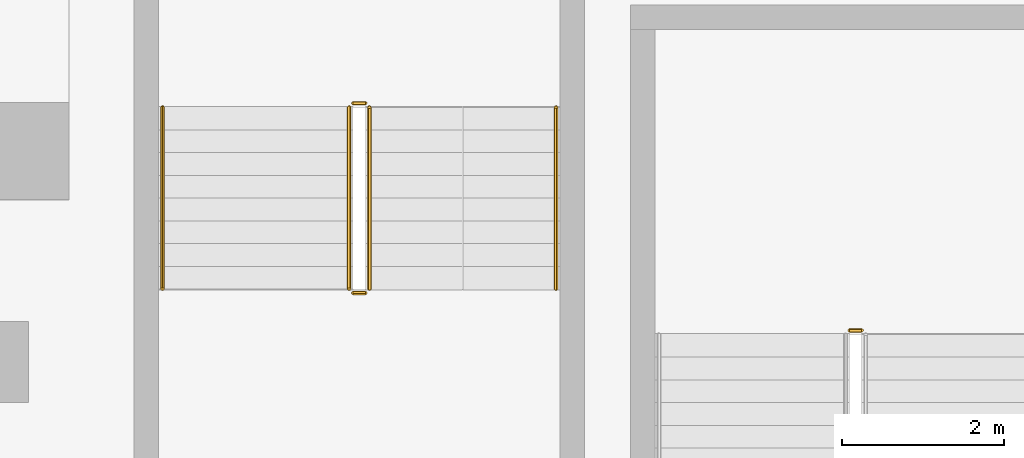
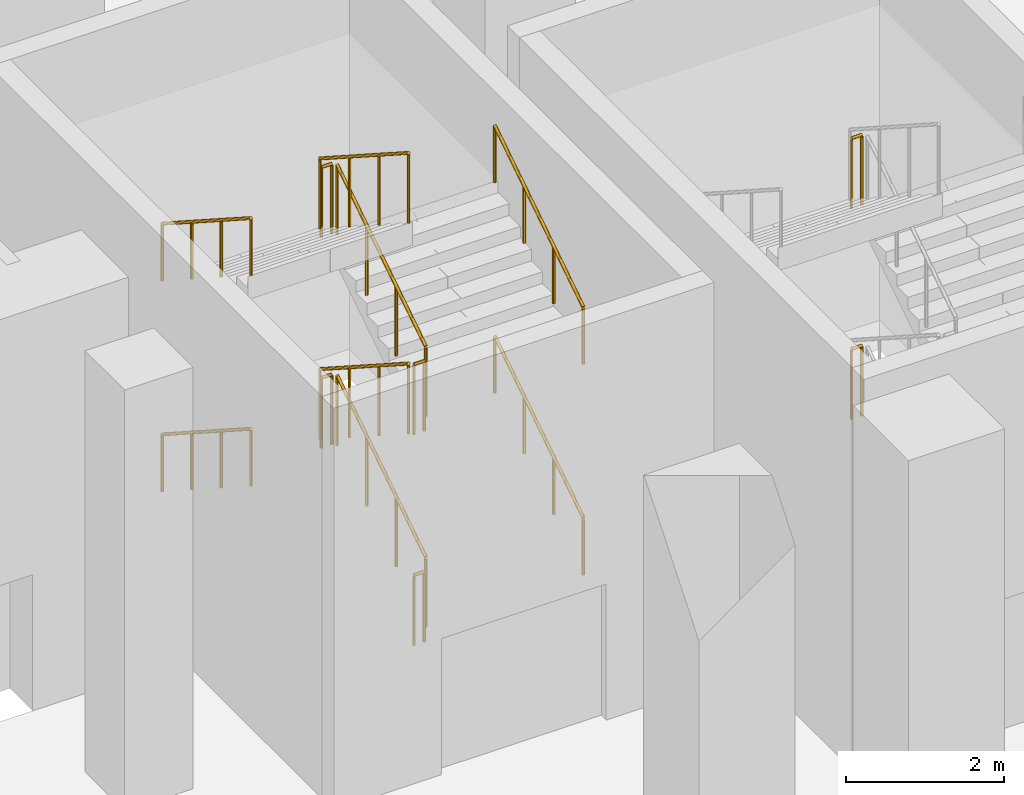
# One storey, part 30 of 30: 14 railings.
"""IFC4 building model written with IfcOpenShell, lengths in metres."""

import ifcopenshell
import ifcopenshell.guid

model = None  # the IFC model being written
_history = None  # IfcOwnerHistory: only IFC2X3 demands one
_inside = {}  # id of a spatial element -> (the spatial element, [elements in it])
_under = {}  # id of a project, library or spatial element -> (it, [spatial elements below it])
_declared = {}  # id of a project -> (the project, [libraries it declares])
_typed = {}  # id of a type object -> (the type object, [elements of that type])
_made_of = {}  # id of a material, layer set ... -> (it, [elements and type objects made of it])


def new_model(schema):
    """Start an empty IFC model of exactly this schema.

    Asked for "IFC4X3", IfcOpenShell would pick the latest addendum, in which some entities
    have other attributes; the version numbers below select the first issue.
    IFC2X3 requires an IfcOwnerHistory on every rooted entity: one is made here for all.
    """
    global model, _history
    if schema == "IFC4X3":
        model = ifcopenshell.file(schema_version=(4, 3, 0, 0))
    else:
        model = ifcopenshell.file(schema=schema)
    _inside.clear()
    _under.clear()
    _declared.clear()
    _typed.clear()
    _made_of.clear()
    _history = None
    if model.schema == "IFC2X3":
        org = make("IfcOrganization", Name="unknown")
        user = make(
            "IfcPersonAndOrganization",
            ThePerson=make("IfcPerson", FamilyName="unknown"),
            TheOrganization=org,
        )
        app = make(
            "IfcApplication",
            ApplicationDeveloper=org,
            Version="unknown",
            ApplicationFullName="unknown",
            ApplicationIdentifier="unknown",
        )
        _history = make(
            "IfcOwnerHistory",
            OwningUser=user,
            OwningApplication=app,
            ChangeAction="ADDED",
            CreationDate=0,
        )
    return model


def make(cls, **values):
    """One entity of the class cls with the attributes given. An attribute that is None is left unset."""
    return model.create_entity(
        cls, **{name: value for name, value in values.items() if value is not None}
    )


def rooted(cls, **values):
    """An entity with a GlobalId (a new one), such as an element, a storey or a relation."""
    return make(cls, GlobalId=ifcopenshell.guid.new(), OwnerHistory=_history, **values)


def si_unit(unit_type, name, prefix=None):
    """IfcSIUnit, for example si_unit("LENGTHUNIT", "METRE", prefix="MILLI")."""
    return make("IfcSIUnit", UnitType=unit_type, Prefix=prefix, Name=name)


def assignment(units):
    """IfcUnitAssignment: the units of a project."""
    return None if units is None else make("IfcUnitAssignment", Units=units)


def point(xyz):
    """IfcCartesianPoint."""
    return None if xyz is None else make("IfcCartesianPoint", Coordinates=xyz)


def direction(xyz):
    """IfcDirection."""
    return None if xyz is None else make("IfcDirection", DirectionRatios=xyz)


def frame(location, z_axis=None, x_axis=None):
    """IfcAxis2Placement3D, a coordinate frame: its origin and axes. An axis left out is left unset."""
    return make(
        "IfcAxis2Placement3D",
        Location=point(location),
        Axis=direction(z_axis),
        RefDirection=direction(x_axis),
    )


def frame_2d(location, x_axis=None):
    """IfcAxis2Placement2D, a coordinate frame in the plane: its origin and x axis."""
    return make(
        "IfcAxis2Placement2D", Location=point(location), RefDirection=direction(x_axis)
    )


def origin():
    """The frame at (0, 0, 0) with its axes left unset."""
    return frame((0.0, 0.0, 0.0))


def origin_2d():
    """The frame at (0, 0) in the plane with its x axis left unset."""
    return frame_2d((0.0, 0.0))


def place(relative_to, where):
    """IfcLocalPlacement: puts the frame where relative to a parent placement (None: the world)."""
    return make(
        "IfcLocalPlacement", PlacementRelTo=relative_to, RelativePlacement=where
    )


def context(
    kind, dimensions, precision=None, world=None, true_north=None, identifier=None
):
    """IfcGeometricRepresentationContext, for example the 3D "Model" context."""
    return make(
        "IfcGeometricRepresentationContext",
        ContextIdentifier=identifier,
        ContextType=kind,
        CoordinateSpaceDimension=dimensions,
        Precision=precision,
        WorldCoordinateSystem=world,
        TrueNorth=true_north,
    )


def subcontext(parent, identifier, kind, view, scale=None):
    """IfcGeometricRepresentationSubContext, for example "Body" below "Model"."""
    return make(
        "IfcGeometricRepresentationSubContext",
        ContextIdentifier=identifier,
        ContextType=kind,
        ParentContext=parent,
        TargetScale=scale,
        TargetView=view,
    )


def project(units=None, contexts=None):
    """IfcProject with its units and contexts."""
    return rooted(
        "IfcProject",
        Name="project",
        RepresentationContexts=contexts,
        UnitsInContext=assignment(units),
    )


def spatial(cls, under=None, at=None, **own):
    """A site, building, storey or space (cls), placed at a placement, below another one or the project."""
    s = rooted(cls, ObjectPlacement=at, **own)
    if under is not None:
        _under.setdefault(under.id(), (under, []))[1].append(s)
    return s


def profile(cls, at=None, kind="AREA", **sizes):
    """A parametric profile (cls). Its sizes go by their IFC names, for example OverallWidth=200.0."""
    return make(cls, ProfileType=kind, Position=at, **sizes)


def circle(**sizes):
    """IfcCircleProfileDef."""
    return profile("IfcCircleProfileDef", **sizes)


def extrude(swept, where, along, depth):
    """IfcExtrudedAreaSolid: the profile swept, set in the frame where, extruded along a direction by depth."""
    return make(
        "IfcExtrudedAreaSolid",
        SweptArea=swept,
        Position=where,
        ExtrudedDirection=direction(along),
        Depth=depth,
    )


def shape(context_of_items, identifier, shape_type, items):
    """IfcShapeRepresentation: the items that make up one representation, for example the "Body"."""
    return make(
        "IfcShapeRepresentation",
        ContextOfItems=context_of_items,
        RepresentationIdentifier=identifier,
        RepresentationType=shape_type,
        Items=items,
    )


def material(Name=None, Category=None):
    """IfcMaterial."""
    return make("IfcMaterial", Name=Name, Category=Category)


def made_of(thing, what):
    """Note that an element or type object is made of a material, layer set ...; save() writes the relation."""
    if what is not None:
        _made_of.setdefault(what.id(), (what, []))[1].append(thing)
    return thing


def type_object(cls, material=None, **own):
    """A type object (cls), such as IfcWallType, which elements share."""
    return made_of(rooted(cls, **own), material)


def element(
    cls,
    number,
    at=None,
    inside=None,
    cuts=None,
    type_object=None,
    material=None,
    context=None,
    identifier="Body",
    shape_type=None,
    held_by="IfcProductDefinitionShape",
    body=None,
    shapes=None,
    **own,
):
    """One element of the class cls, such as IfcWall. Its Tag is "e" and its number.

    at: its placement. inside: the storey or other place that contains it. cuts: it is an
    opening in that element (IfcRelVoidsElement). A single representation is given by context,
    identifier, shape_type and body (its items); several are given by shapes. held_by: the class
    of the entity that holds the representations. save() writes the other relations.
    """
    e = rooted(cls, Tag="e%d" % number, ObjectPlacement=at, **own)
    if body is not None:
        shapes = [shape(context, identifier, shape_type, body)]
    if shapes is not None:
        e.Representation = make(held_by, Representations=shapes)
    if inside is not None:
        _inside.setdefault(inside.id(), (inside, []))[1].append(e)
    if cuts is not None:
        rooted(
            "IfcRelVoidsElement", RelatingBuildingElement=cuts, RelatedOpeningElement=e
        )
    if type_object is not None:
        _typed.setdefault(type_object.id(), (type_object, []))[1].append(e)
    return made_of(e, material)


def aggregate(whole, parts):
    """IfcRelAggregates: a whole, such as a stair, and the parts it consists of."""
    return rooted("IfcRelAggregates", RelatingObject=whole, RelatedObjects=parts)


def save(model, path):
    """Write the relations noted so far, then the file.

    IfcRelAggregates (storeys below a building ...), IfcRelContainedInSpatialStructure (elements
    in a storey), IfcRelDefinesByType, IfcRelAssociatesMaterial and IfcRelDeclares: one each for
    every whole, place, type object, material and project.
    """
    for whole, parts in _under.values():
        aggregate(whole, parts)
    for where, things in _inside.values():
        rooted(
            "IfcRelContainedInSpatialStructure",
            RelatedElements=things,
            RelatingStructure=where,
        )
    for kind, things in _typed.values():
        rooted("IfcRelDefinesByType", RelatedObjects=things, RelatingType=kind)
    for what, things in _made_of.values():
        rooted("IfcRelAssociatesMaterial", RelatedObjects=things, RelatingMaterial=what)
    for by, libraries in _declared.values():
        rooted("IfcRelDeclares", RelatingContext=by, RelatedDefinitions=libraries)
    model.write(path)


model = new_model("IFC4")

# Units and contexts
model_context = context("Model", 3, precision=1e-05, world=origin(), true_north=direction((0.0, 1.0)))
body_context = subcontext(model_context, "Body", "Model", "MODEL_VIEW")
ifc_project = project(units=[si_unit("LENGTHUNIT", "METRE"), si_unit("AREAUNIT", "SQUARE_METRE"), si_unit("VOLUMEUNIT", "CUBIC_METRE"), si_unit("PLANEANGLEUNIT", "RADIAN"), si_unit("MASSUNIT", "GRAM", prefix="KILO")], contexts=[model_context])

# Site, building, storey
site_placement = place(None, origin())
site = spatial("IfcSite", under=ifc_project, at=site_placement, CompositionType="ELEMENT")
building_placement = place(site_placement, origin())
building = spatial("IfcBuilding", under=site, at=building_placement, Name="Wharfspan Tower", CompositionType="ELEMENT")
storey_placement = place(building_placement, frame((0.0, 0.0, 15.0)))
storey = spatial("IfcBuildingStorey", under=building, at=storey_placement, Name="L02", CompositionType="ELEMENT", Elevation=15.0)

# Railings
ifc_material = material(Name="Steel S355J2", Category="steel")
railing_type_1 = type_object("IfcRailingType", Name="Podium guard 1100", PredefinedType="GUARDRAIL", material=ifc_material)
railing_1_placement = place(storey_placement, frame((68.699951, 32.899902, 0.180664)))
element("IfcRailing", 1, at=railing_1_placement, inside=storey, type_object=railing_type_1, Name="L02 PS4 stair guard 1", PredefinedType="GUARDRAIL", context=body_context, shape_type="SweptSolid", body=[
    extrude(circle(Radius=0.023926, at=origin_2d()), frame((0.0, 0.0, 1.076172), z_axis=(0.0, 0.840437, 0.54191), x_axis=(-1.0, 0.0, 0.0)), (0.0, 0.0, 1.0), 2.665283),
    extrude(circle(Radius=0.020996, at=origin_2d()), origin(), (0.0, 0.0, 1.0), 1.052002),
    extrude(circle(Radius=0.020996, at=origin_2d()), frame((0.0, 0.746582, 0.481445)), (0.0, 0.0, 1.0), 1.052002),
    extrude(circle(Radius=0.020996, at=origin_2d()), frame((0.0, 1.493408, 0.962891)), (0.0, 0.0, 1.0), 1.052002),
    extrude(circle(Radius=0.020996, at=origin_2d()), frame((0.0, 2.23999, 1.444336)), (0.0, 0.0, 1.0), 1.052002),
])
railing_2_placement = place(storey_placement, frame((68.649902, 35.189941, 1.625)))
element("IfcRailing", 2, at=railing_2_placement, inside=storey, type_object=railing_type_1, Name="L02 PS4 stair guard 2", PredefinedType="GUARDRAIL", context=body_context, shape_type="SweptSolid", body=[
    extrude(circle(Radius=0.023926, at=origin_2d()), frame((0.0, 0.0, 1.076172), z_axis=(-1.0, 0.0, 0.0), x_axis=(0.0, -1.0, 0.0)), (0.0, 0.0, 1.0), 0.149902),
    extrude(circle(Radius=0.020996, at=origin_2d()), origin(), (0.0, 0.0, 1.0), 1.052002),
    extrude(circle(Radius=0.020996, at=origin_2d()), frame((-0.149902, 0.0, 0.0)), (0.0, 0.0, 1.0), 1.052002),
])
railing_3_placement = place(storey_placement, frame((68.449951, 35.139893, 1.805664)))
element("IfcRailing", 3, at=railing_3_placement, inside=storey, type_object=railing_type_1, Name="L02 PS4 stair guard 3", PredefinedType="GUARDRAIL", context=body_context, shape_type="SweptSolid", body=[
    extrude(circle(Radius=0.023926, at=origin_2d()), frame((0.0, 0.0, 1.076172), z_axis=(0.0, -0.840437, 0.54191), x_axis=(1.0, 0.0, 0.0)), (0.0, 0.0, 1.0), 2.665283),
    extrude(circle(Radius=0.020996, at=origin_2d()), origin(), (0.0, 0.0, 1.0), 1.052002),
    extrude(circle(Radius=0.020996, at=origin_2d()), frame((0.0, -0.746582, 0.481445)), (0.0, 0.0, 1.0), 1.052002),
    extrude(circle(Radius=0.020996, at=origin_2d()), frame((0.0, -1.493408, 0.962891)), (0.0, 0.0, 1.0), 1.052002),
    extrude(circle(Radius=0.020996, at=origin_2d()), frame((0.0, -2.23999, 1.444336)), (0.0, 0.0, 1.0), 1.052002),
])
railing_4_placement = place(storey_placement, frame((68.649902, 32.850098, 3.25)))
element("IfcRailing", 4, at=railing_4_placement, inside=storey, type_object=railing_type_1, Name="L02 PS4 stair guard 4", PredefinedType="GUARDRAIL", context=body_context, shape_type="SweptSolid", body=[
    extrude(circle(Radius=0.023926, at=origin_2d()), frame((0.0, 0.0, 1.076172), z_axis=(-1.0, 0.0, 0.0), x_axis=(0.0, -1.0, 0.0)), (0.0, 0.0, 1.0), 0.149902),
    extrude(circle(Radius=0.020996, at=origin_2d()), origin(), (0.0, 0.0, 1.0), 1.052002),
    extrude(circle(Radius=0.020996, at=origin_2d()), frame((-0.149902, 0.0, 0.0)), (0.0, 0.0, 1.0), 1.052002),
])
railing_5_placement = place(storey_placement, frame((68.699951, 32.899902, 3.430664)))
element("IfcRailing", 5, at=railing_5_placement, inside=storey, type_object=railing_type_1, Name="L02 PS4 stair guard 5", PredefinedType="GUARDRAIL", context=body_context, shape_type="SweptSolid", body=[
    extrude(circle(Radius=0.023926, at=origin_2d()), frame((0.0, 0.0, 1.076172), z_axis=(0.0, 0.840437, 0.54191), x_axis=(-1.0, 0.0, 0.0)), (0.0, 0.0, 1.0), 2.665283),
    extrude(circle(Radius=0.020996, at=origin_2d()), origin(), (0.0, 0.0, 1.0), 1.052002),
    extrude(circle(Radius=0.020996, at=origin_2d()), frame((0.0, 0.746582, 0.481445)), (0.0, 0.0, 1.0), 1.052002),
    extrude(circle(Radius=0.020996, at=origin_2d()), frame((0.0, 1.493408, 0.962891)), (0.0, 0.0, 1.0), 1.052002),
    extrude(circle(Radius=0.020996, at=origin_2d()), frame((0.0, 2.23999, 1.444336)), (0.0, 0.0, 1.0), 1.052002),
])
railing_6_placement = place(storey_placement, frame((68.649902, 35.189941, 4.875)))
element("IfcRailing", 6, at=railing_6_placement, inside=storey, type_object=railing_type_1, Name="L02 PS4 stair guard 6", PredefinedType="GUARDRAIL", context=body_context, shape_type="SweptSolid", body=[
    extrude(circle(Radius=0.023926, at=origin_2d()), frame((0.0, 0.0, 1.076172), z_axis=(-1.0, 0.0, 0.0), x_axis=(0.0, -1.0, 0.0)), (0.0, 0.0, 1.0), 0.149902),
    extrude(circle(Radius=0.020996, at=origin_2d()), origin(), (0.0, 0.0, 1.0), 1.052002),
    extrude(circle(Radius=0.020996, at=origin_2d()), frame((-0.149902, 0.0, 0.0)), (0.0, 0.0, 1.0), 1.052002),
])
railing_7_placement = place(storey_placement, frame((68.449951, 35.139893, 5.055664)))
element("IfcRailing", 7, at=railing_7_placement, inside=storey, type_object=railing_type_1, Name="L02 PS4 stair guard 7", PredefinedType="GUARDRAIL", context=body_context, shape_type="SweptSolid", body=[
    extrude(circle(Radius=0.023926, at=origin_2d()), frame((0.0, 0.0, 1.076172), z_axis=(0.0, -0.840437, 0.54191), x_axis=(1.0, 0.0, 0.0)), (0.0, 0.0, 1.0), 2.665283),
    extrude(circle(Radius=0.020996, at=origin_2d()), origin(), (0.0, 0.0, 1.0), 1.052002),
    extrude(circle(Radius=0.020996, at=origin_2d()), frame((0.0, -0.746582, 0.481445)), (0.0, 0.0, 1.0), 1.052002),
    extrude(circle(Radius=0.020996, at=origin_2d()), frame((0.0, -1.493408, 0.962891)), (0.0, 0.0, 1.0), 1.052002),
    extrude(circle(Radius=0.020996, at=origin_2d()), frame((0.0, -2.23999, 1.444336)), (0.0, 0.0, 1.0), 1.052002),
])
railing_8_placement = place(storey_placement, frame((68.649902, 32.850098, 0.0)))
element("IfcRailing", 8, at=railing_8_placement, inside=storey, type_object=railing_type_1, Name="L02 PS4 stair guard 8", PredefinedType="GUARDRAIL", context=body_context, shape_type="SweptSolid", body=[
    extrude(circle(Radius=0.023926, at=origin_2d()), frame((0.0, 0.0, 1.076172), z_axis=(-1.0, 0.0, 0.0), x_axis=(0.0, -1.0, 0.0)), (0.0, 0.0, 1.0), 0.149902),
    extrude(circle(Radius=0.020996, at=origin_2d()), origin(), (0.0, 0.0, 1.0), 1.052002),
    extrude(circle(Radius=0.020996, at=origin_2d()), frame((-0.149902, 0.0, 0.0)), (0.0, 0.0, 1.0), 1.052002),
])
for number, where, name in (
    (9, (74.767578, 32.389893, 1.625), "L02 PS5 stair guard 2"),
    (10, (74.767578, 32.389893, 4.875), "L02 PS5 stair guard 6"),
):
    element("IfcRailing", number, at=place(storey_placement, frame(where)), inside=storey, type_object=railing_type_1, Name=name, PredefinedType="GUARDRAIL", context=body_context, shape_type="SweptSolid", body=[
        extrude(circle(Radius=0.023926, at=origin_2d()), frame((0.0, 0.0, 1.076172), z_axis=(-1.0, 0.0, 0.0), x_axis=(0.0, -1.0, 0.0)), (0.0, 0.0, 1.0), 0.150146),
        extrude(circle(Radius=0.020996, at=origin_2d()), origin(), (0.0, 0.0, 1.0), 1.052002),
        extrude(circle(Radius=0.020996, at=origin_2d()), frame((-0.150146, 0.0, 0.0)), (0.0, 0.0, 1.0), 1.052002),
    ])
railing_type_2 = type_object("IfcRailingType", Name="Podium stair handrail 900", PredefinedType="HANDRAIL", material=ifc_material)
railing_9_placement = place(storey_placement, frame((71.0, 32.899902, 0.180664)))
element("IfcRailing", 11, at=railing_9_placement, inside=storey, type_object=railing_type_2, Name="L02 PS4 stair handrail 1", PredefinedType="HANDRAIL", context=body_context, shape_type="SweptSolid", body=[
    extrude(circle(Radius=0.023926, at=origin_2d()), frame((0.0, 0.0, 0.875977), z_axis=(0.0, 0.840437, 0.54191), x_axis=(-1.0, 0.0, 0.0)), (0.0, 0.0, 1.0), 2.665283),
    extrude(circle(Radius=0.020996, at=origin_2d()), origin(), (0.0, 0.0, 1.0), 0.851807),
    extrude(circle(Radius=0.020996, at=origin_2d()), frame((0.0, 0.746582, 0.481445)), (0.0, 0.0, 1.0), 0.851807),
    extrude(circle(Radius=0.020996, at=origin_2d()), frame((0.0, 1.493408, 0.962891)), (0.0, 0.0, 1.0), 0.851807),
    extrude(circle(Radius=0.020996, at=origin_2d()), frame((0.0, 2.23999, 1.444336)), (0.0, 0.0, 1.0), 0.851807),
])
railing_10_placement = place(storey_placement, frame((66.149902, 35.139893, 1.805664)))
element("IfcRailing", 12, at=railing_10_placement, inside=storey, type_object=railing_type_2, Name="L02 PS4 stair handrail 2", PredefinedType="HANDRAIL", context=body_context, shape_type="SweptSolid", body=[
    extrude(circle(Radius=0.023926, at=origin_2d()), frame((0.0, 0.0, 0.875977), z_axis=(0.0, -0.840437, 0.54191), x_axis=(1.0, 0.0, 0.0)), (0.0, 0.0, 1.0), 2.665283),
    extrude(circle(Radius=0.020996, at=origin_2d()), origin(), (0.0, 0.0, 1.0), 0.851807),
    extrude(circle(Radius=0.020996, at=origin_2d()), frame((0.0, -0.746582, 0.481445)), (0.0, 0.0, 1.0), 0.851807),
    extrude(circle(Radius=0.020996, at=origin_2d()), frame((0.0, -1.493408, 0.962891)), (0.0, 0.0, 1.0), 0.851807),
    extrude(circle(Radius=0.020996, at=origin_2d()), frame((0.0, -2.23999, 1.444336)), (0.0, 0.0, 1.0), 0.851807),
])
railing_11_placement = place(storey_placement, frame((71.0, 32.899902, 3.430664)))
element("IfcRailing", 13, at=railing_11_placement, inside=storey, type_object=railing_type_2, Name="L02 PS4 stair handrail 3", PredefinedType="HANDRAIL", context=body_context, shape_type="SweptSolid", body=[
    extrude(circle(Radius=0.023926, at=origin_2d()), frame((0.0, 0.0, 0.875977), z_axis=(0.0, 0.840437, 0.54191), x_axis=(-1.0, 0.0, 0.0)), (0.0, 0.0, 1.0), 2.665283),
    extrude(circle(Radius=0.020996, at=origin_2d()), origin(), (0.0, 0.0, 1.0), 0.851807),
    extrude(circle(Radius=0.020996, at=origin_2d()), frame((0.0, 0.746582, 0.481445)), (0.0, 0.0, 1.0), 0.851807),
    extrude(circle(Radius=0.020996, at=origin_2d()), frame((0.0, 1.493408, 0.962891)), (0.0, 0.0, 1.0), 0.851807),
    extrude(circle(Radius=0.020996, at=origin_2d()), frame((0.0, 2.23999, 1.444336)), (0.0, 0.0, 1.0), 0.851807),
])
railing_12_placement = place(storey_placement, frame((66.149902, 35.139893, 5.055664)))
element("IfcRailing", 14, at=railing_12_placement, inside=storey, type_object=railing_type_2, Name="L02 PS4 stair handrail 4", PredefinedType="HANDRAIL", context=body_context, shape_type="SweptSolid", body=[
    extrude(circle(Radius=0.023926, at=origin_2d()), frame((0.0, 0.0, 0.875977), z_axis=(0.0, -0.840437, 0.54191), x_axis=(1.0, 0.0, 0.0)), (0.0, 0.0, 1.0), 2.665283),
    extrude(circle(Radius=0.020996, at=origin_2d()), origin(), (0.0, 0.0, 1.0), 0.851807),
    extrude(circle(Radius=0.020996, at=origin_2d()), frame((0.0, -0.746582, 0.481445)), (0.0, 0.0, 1.0), 0.851807),
    extrude(circle(Radius=0.020996, at=origin_2d()), frame((0.0, -1.493408, 0.962891)), (0.0, 0.0, 1.0), 0.851807),
    extrude(circle(Radius=0.020996, at=origin_2d()), frame((0.0, -2.23999, 1.444336)), (0.0, 0.0, 1.0), 0.851807),
])

save(model, "model.ifc")
